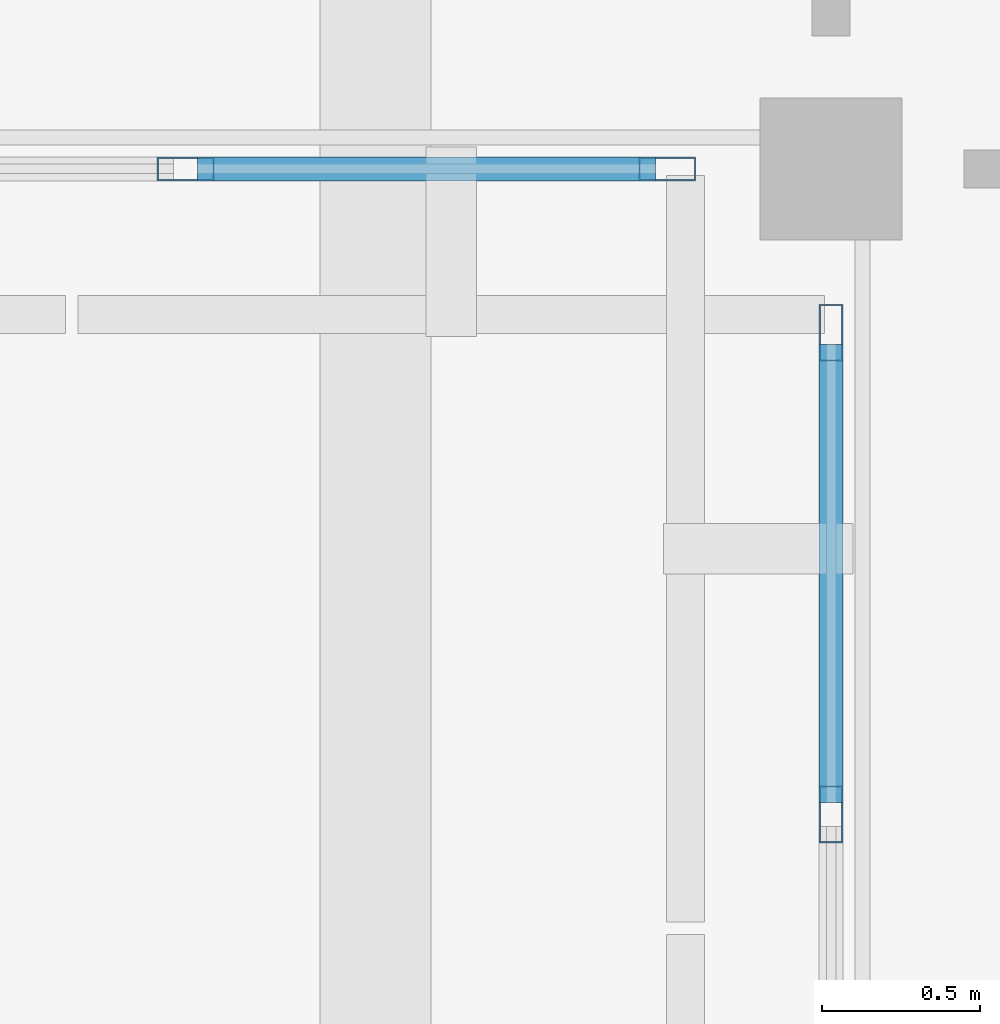
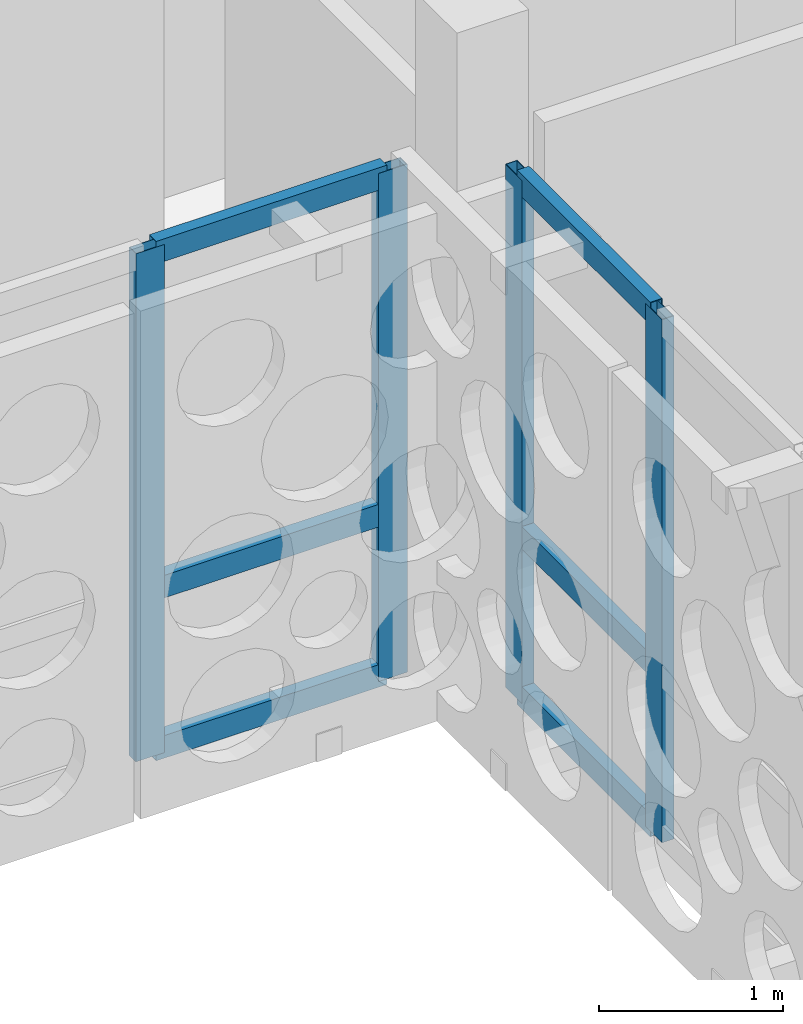
# One storey, part 51 of 171: 10 members, 2 elements without a shape of their own.
"""IFC4 building model written with IfcOpenShell, lengths in metres."""

from ifc_helpers import new_model, si_unit, direction, frame, origin, origin_2d, place, context, subcontext, project, spatial, hollow_rectangle, extrude, material, material_profile, profile_set, type_object, element, aggregate, save


model = new_model("IFC4")

# Units and contexts
model_context = context("Model", 3, precision=1e-05, world=origin(), true_north=direction((0.0, 1.0)))
body_context = subcontext(model_context, "Body", "Model", "MODEL_VIEW")
ifc_project = project(units=[si_unit("LENGTHUNIT", "METRE"), si_unit("AREAUNIT", "SQUARE_METRE"), si_unit("VOLUMEUNIT", "CUBIC_METRE"), si_unit("PLANEANGLEUNIT", "RADIAN"), si_unit("MASSUNIT", "GRAM", prefix="KILO")], contexts=[model_context])

# Site, building, storey
site_placement = place(None, origin())
site = spatial("IfcSite", under=ifc_project, at=site_placement, CompositionType="ELEMENT")
building_placement = place(site_placement, origin())
building = spatial("IfcBuilding", under=site, at=building_placement, Name="Aldebral Square Health Centre", CompositionType="ELEMENT")
storey_placement = place(building_placement, frame((0.0, 0.0, 4.5)))
storey = spatial("IfcBuildingStorey", under=building, at=storey_placement, Name="L01", CompositionType="ELEMENT", Elevation=4.5)

# Curtain wall, members
ifc_material_1 = material(Name="Aluminium and low-E solar glass", Category="aluminium")
curtain_wall_type = type_object("IfcCurtainWallType", Name="CW-HALL-SYS", PredefinedType="USERDEFINED", material=ifc_material_1)
curtain_wall_1_placement = place(storey_placement, origin())
curtain_wall_1 = element("IfcCurtainWall", 1, at=curtain_wall_1_placement, inside=storey, type_object=curtain_wall_type, Name="L01 V1 hall curtain wall L01-V1-13-13-S", ObjectType="HALL_CURTAIN_WALL", PredefinedType="USERDEFINED")
ifc_material_2 = material(Name="Anodised aluminium mullion", Category="aluminium")
ifc_material_profile_1 = material_profile(ifc_material_2, hollow_rectangle(XDim=0.074951171875, YDim=0.179931640625, WallThickness=0.00390625, at=origin_2d()), Name="CWM 75x180x4")
ifc_profile_set_1 = profile_set([ifc_material_profile_1], Name="Anodised aluminium mullion")
member_type_1 = type_object("IfcMemberType", Name="CWM-STD", PredefinedType="MULLION", material=ifc_profile_set_1)
member_1_placement = place(storey_placement, frame((98.760009765625, 93.60009765625, 0.0), z_axis=(0.0, 0.0, 1.0), x_axis=(0.0, 1.0, 0.0)))
member_1 = element("IfcMember", 2, at=member_1_placement, type_object=member_type_1, Name="CW2 mullion 4", PredefinedType="MULLION", context=body_context, shape_type="SweptSolid", body=[
    extrude(hollow_rectangle(XDim=0.074951171875, YDim=0.179931640625, WallThickness=0.00390625, at=origin_2d()), origin(), (0.0, 0.0, 1.0), 3.3701171875),
])
member_2_placement = place(storey_placement, frame((100.282470703125, 93.60009765625, 0.0), z_axis=(0.0, 0.0, 1.0), x_axis=(0.0, 1.0, 0.0)))
member_2 = element("IfcMember", 3, at=member_2_placement, type_object=member_type_1, Name="CW2 mullion 5", PredefinedType="MULLION", context=body_context, shape_type="SweptSolid", body=[
    extrude(hollow_rectangle(XDim=0.074951171875, YDim=0.179931640625, WallThickness=0.00390625, at=origin_2d()), origin(), (0.0, 0.0, 1.0), 3.3701171875),
])

curtain_wall_2_placement = place(storey_placement, origin())
curtain_wall_2 = element("IfcCurtainWall", 4, at=curtain_wall_2_placement, inside=storey, type_object=curtain_wall_type, Name="L01 V1 hall curtain wall L01-V1-14-12-W", ObjectType="HALL_CURTAIN_WALL", PredefinedType="USERDEFINED")
member_3_placement = place(storey_placement, frame((100.800048828125, 93.08251953125, 0.0), z_axis=(0.0, 0.0, 1.0), x_axis=(1.0, 0.0, 0.0)))
member_3 = element("IfcMember", 5, at=member_3_placement, type_object=member_type_1, Name="CW2 mullion 1", PredefinedType="MULLION", context=body_context, shape_type="SweptSolid", body=[
    extrude(hollow_rectangle(XDim=0.074951171875, YDim=0.179931640625, WallThickness=0.00390625, at=origin_2d()), origin(), (0.0, 0.0, 1.0), 3.469970703125),
])
member_4_placement = place(storey_placement, frame((100.800048828125, 91.56005859375, 0.0), z_axis=(0.0, 0.0, 1.0), x_axis=(1.0, 0.0, 0.0)))
member_4 = element("IfcMember", 6, at=member_4_placement, type_object=member_type_1, Name="CW2 mullion 2", PredefinedType="MULLION", context=body_context, shape_type="SweptSolid", body=[
    extrude(hollow_rectangle(XDim=0.074951171875, YDim=0.179931640625, WallThickness=0.00390625, at=origin_2d()), origin(), (0.0, 0.0, 1.0), 3.469970703125),
])

# Member
ifc_material_3 = material(Name="Anodised aluminium transom", Category="aluminium")
ifc_material_profile_2 = material_profile(ifc_material_3, hollow_rectangle(XDim=0.074951171875, YDim=0.14990234375, WallThickness=0.00390625, at=origin_2d()), Name="CWT 75x150x4")
ifc_profile_set_2 = profile_set([ifc_material_profile_2], Name="Anodised aluminium transom")
member_type_2 = type_object("IfcMemberType", Name="CWT-STD", PredefinedType="USERDEFINED", material=ifc_profile_set_2)
member_5_placement = place(storey_placement, frame((98.797607421875, 93.60009765625, 0.03759765625), z_axis=(1.0, 0.0, 0.0), x_axis=(0.0, 1.0, 0.0)))
member_5 = element("IfcMember", 7, at=member_5_placement, type_object=member_type_2, Name="CW2 transom 4.1", ObjectType="TRANSOM", PredefinedType="USERDEFINED", context=body_context, shape_type="SweptSolid", body=[
    extrude(hollow_rectangle(XDim=0.074951171875, YDim=0.14990234375, WallThickness=0.00390625, at=origin_2d()), origin(), (0.0, 0.0, 1.0), 1.447509765625),
])

member_6_placement = place(storey_placement, frame((98.797607421875, 93.60009765625, 1.10009765625), z_axis=(1.0, 0.0, 0.0), x_axis=(0.0, 1.0, 0.0)))
member_6 = element("IfcMember", 8, at=member_6_placement, type_object=member_type_2, Name="CW2 transom 4.2", ObjectType="TRANSOM", PredefinedType="USERDEFINED", context=body_context, shape_type="SweptSolid", body=[
    extrude(hollow_rectangle(XDim=0.074951171875, YDim=0.14990234375, WallThickness=0.00390625, at=origin_2d()), origin(), (0.0, 0.0, 1.0), 1.447509765625),
])

member_7_placement = place(storey_placement, frame((98.797607421875, 93.60009765625, 3.33251953125), z_axis=(1.0, 0.0, 0.0), x_axis=(0.0, 1.0, 0.0)))
member_7 = element("IfcMember", 9, at=member_7_placement, type_object=member_type_2, Name="CW2 transom 4.3", ObjectType="TRANSOM", PredefinedType="USERDEFINED", context=body_context, shape_type="SweptSolid", body=[
    extrude(hollow_rectangle(XDim=0.074951171875, YDim=0.14990234375, WallThickness=0.00390625, at=origin_2d()), origin(), (0.0, 0.0, 1.0), 1.447509765625),
])

aggregate(curtain_wall_1, [member_1, member_2, member_5, member_6, member_7])

member_8_placement = place(storey_placement, frame((100.800048828125, 93.044921875, 0.03759765625), z_axis=(0.0, -1.0, 0.0), x_axis=(1.0, 0.0, 0.0)))
member_8 = element("IfcMember", 10, at=member_8_placement, type_object=member_type_2, Name="CW2 transom 1.1", ObjectType="TRANSOM", PredefinedType="USERDEFINED", context=body_context, shape_type="SweptSolid", body=[
    extrude(hollow_rectangle(XDim=0.074951171875, YDim=0.14990234375, WallThickness=0.00390625, at=origin_2d()), origin(), (0.0, 0.0, 1.0), 1.447509765625),
])

member_9_placement = place(storey_placement, frame((100.800048828125, 93.044921875, 1.10009765625), z_axis=(0.0, -1.0, 0.0), x_axis=(1.0, 0.0, 0.0)))
member_9 = element("IfcMember", 11, at=member_9_placement, type_object=member_type_2, Name="CW2 transom 1.2", ObjectType="TRANSOM", PredefinedType="USERDEFINED", context=body_context, shape_type="SweptSolid", body=[
    extrude(hollow_rectangle(XDim=0.074951171875, YDim=0.14990234375, WallThickness=0.00390625, at=origin_2d()), origin(), (0.0, 0.0, 1.0), 1.447509765625),
])

member_10_placement = place(storey_placement, frame((100.800048828125, 93.044921875, 3.4326171875), z_axis=(0.0, -1.0, 0.0), x_axis=(1.0, 0.0, 0.0)))
member_10 = element("IfcMember", 12, at=member_10_placement, type_object=member_type_2, Name="CW2 transom 1.3", ObjectType="TRANSOM", PredefinedType="USERDEFINED", context=body_context, shape_type="SweptSolid", body=[
    extrude(hollow_rectangle(XDim=0.074951171875, YDim=0.14990234375, WallThickness=0.00390625, at=origin_2d()), origin(), (0.0, 0.0, 1.0), 1.447509765625),
])

aggregate(curtain_wall_2, [member_3, member_4, member_8, member_9, member_10])

save(model, "model.ifc")
